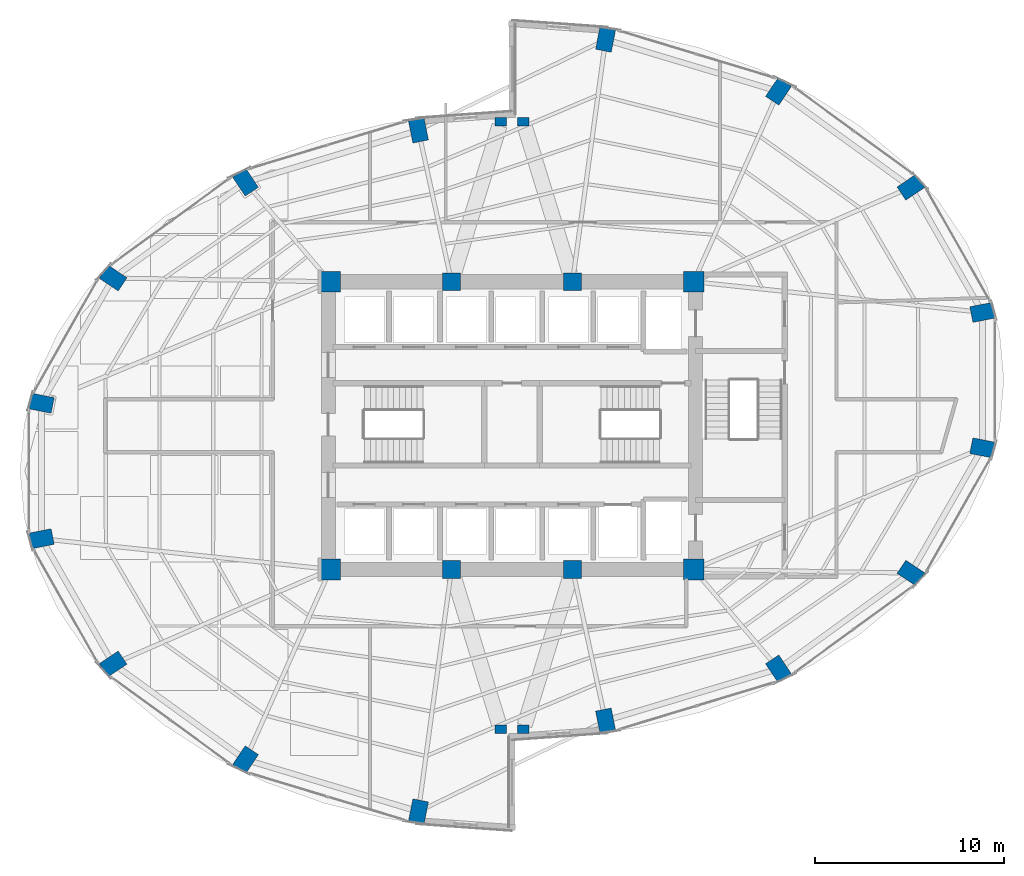
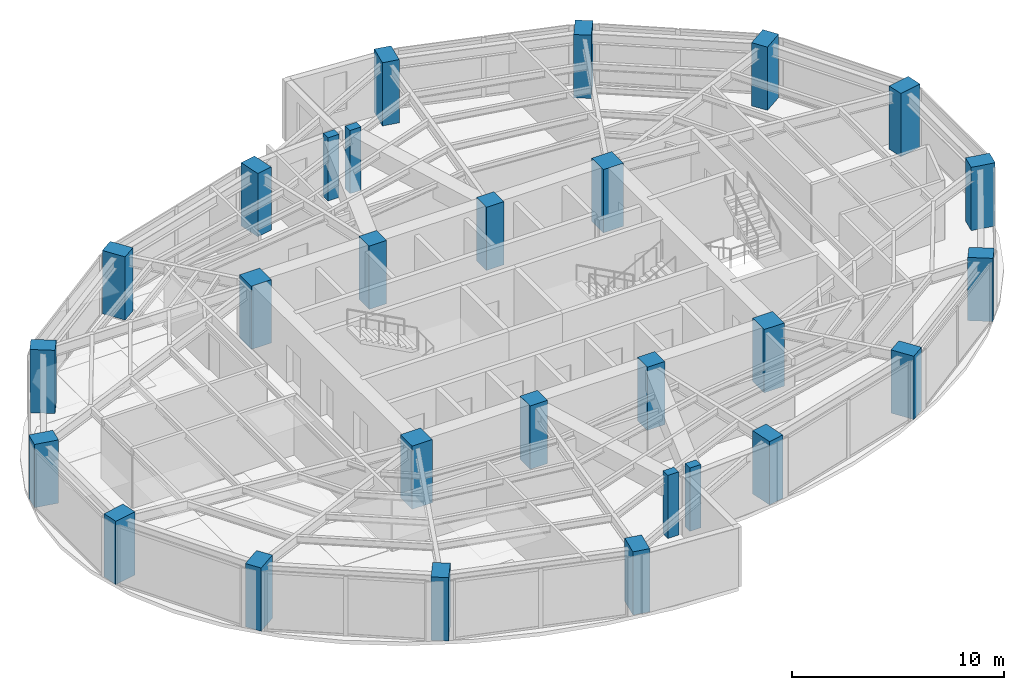
# One storey, part 1 of 23: 28 columns.
"""IFC4 building model written with IfcOpenShell, lengths in metres."""

from ifc_helpers import new_model, si_unit, direction, frame, origin, origin_2d, place, context, subcontext, project, spatial, rectangle, extrude, material, material_profile, profile_set, type_object, element, save


model = new_model("IFC4")

# Units and contexts
model_context = context("Model", 3, precision=1e-05, world=origin(), true_north=direction((0.0, 1.0)))
body_context = subcontext(model_context, "Body", "Model", "MODEL_VIEW")
ifc_project = project(units=[si_unit("LENGTHUNIT", "METRE"), si_unit("AREAUNIT", "SQUARE_METRE"), si_unit("VOLUMEUNIT", "CUBIC_METRE"), si_unit("PLANEANGLEUNIT", "RADIAN"), si_unit("MASSUNIT", "GRAM", prefix="KILO")], contexts=[model_context])

# Site, building, storey
site_placement = place(None, origin())
site = spatial("IfcSite", under=ifc_project, at=site_placement, CompositionType="ELEMENT")
building_placement = place(site_placement, origin())
building = spatial("IfcBuilding", under=site, at=building_placement, Name="Lazwardi Medical Tower", CompositionType="ELEMENT")
storey_placement = place(building_placement, frame((0.0, 0.0, 121.8720703125)))
storey = spatial("IfcBuildingStorey", under=building, at=storey_placement, Name="L31", CompositionType="ELEMENT", Elevation=121.8720703125)

# Columns
ifc_material_1 = material(Name="Concrete C80/95", Category="concrete")
ifc_material_profile_1 = material_profile(ifc_material_1, rectangle(XDim=1.10009765625, YDim=1.10009765625, at=origin_2d()), Name="RC 1100x1100")
ifc_profile_set_1 = profile_set([ifc_material_profile_1], Name="Concrete C80/95")
column_type_1 = type_object("IfcColumnType", Name="COL-CC-L", PredefinedType="COLUMN", material=ifc_profile_set_1)
for number, where, z_axis, x_axis, name in (
    (1, (26.39990234375, 20.39990234375, 0.0), (0.0, 0.0, 1.0), (1.0, 0.0, 0.0), "Core column CC-01 CC1 L31"),
    (2, (45.60009765625, 20.39990234375, 0.0), (0.0, 0.0, 1.0), (1.0, 0.0, 0.0), "Core column CC-01 CC4 L31"),
    (3, (45.60009765625, 35.60009765625, 0.0), (0.0, 0.0, 1.0), (1.0, 0.0, 0.0), "Core column CC-01 CC5 L31"),
    (4, (26.39990234375, 35.60009765625, 0.0), (0.0, 0.0, 1.0), (1.0, 0.0, 0.0), "Core column CC-01 CC8 L31"),
):
    element("IfcColumn", number, at=place(storey_placement, frame(where, z_axis=z_axis, x_axis=x_axis)), inside=storey, type_object=column_type_1, Name=name, PredefinedType="COLUMN", context=body_context, shape_type="SweptSolid", body=[
        extrude(rectangle(XDim=1.10009765625, YDim=1.10009765625, at=origin_2d()), origin(), (0.0, 0.0, 1.0), 3.64794921875),
    ])
ifc_material_2 = material(Name="Concrete C70/85", Category="concrete")
ifc_material_profile_2 = material_profile(ifc_material_2, rectangle(XDim=0.949951171875, YDim=0.949951171875, at=origin_2d()), Name="RC 950x950")
ifc_profile_set_2 = profile_set([ifc_material_profile_2], Name="Concrete C70/85")
column_type_2 = type_object("IfcColumnType", Name="COL-CC-M", PredefinedType="COLUMN", material=ifc_profile_set_2)
for number, where, z_axis, x_axis, name in (
    (5, (32.800048828125, 20.39990234375, 0.0), (0.0, 0.0, 1.0), (1.0, 0.0, 0.0), "Core column CC-02 CC2 L31"),
    (6, (39.199951171875, 20.39990234375, 0.0), (0.0, 0.0, 1.0), (1.0, 0.0, 0.0), "Core column CC-02 CC3 L31"),
    (7, (39.199951171875, 35.60009765625, 0.0), (0.0, 0.0, 1.0), (1.0, 0.0, 0.0), "Core column CC-02 CC6 L31"),
    (8, (32.800048828125, 35.60009765625, 0.0), (0.0, 0.0, 1.0), (1.0, 0.0, 0.0), "Core column CC-02 CC7 L31"),
):
    element("IfcColumn", number, at=place(storey_placement, frame(where, z_axis=z_axis, x_axis=x_axis)), inside=storey, type_object=column_type_2, Name=name, PredefinedType="COLUMN", context=body_context, shape_type="SweptSolid", body=[
        extrude(rectangle(XDim=0.949951171875, YDim=0.949951171875, at=origin_2d()), origin(), (0.0, 0.0, 1.0), 3.64794921875),
    ])
ifc_material_profile_3 = material_profile(ifc_material_2, rectangle(XDim=1.199951171875, YDim=0.840087890625, at=origin_2d()), Name="CFT-RECT 1200x840")
ifc_profile_set_3 = profile_set([ifc_material_profile_3], Name="Concrete C70/85")
column_type_3 = type_object("IfcColumnType", Name="COL-MC-Z2", PredefinedType="COLUMN", material=ifc_profile_set_3)
for number, where, z_axis, x_axis, name in (
    (9, (40.945556640625, 12.402587890625, 0.0), (0.0, 0.0, 1.0), (0.195090322016, -0.980785280403, 0.0), "Mega column MC-04 M01 L31"),
    (10, (50.083740234375, 15.142578125, 0.0), (0.0, 0.0, 1.0), (0.55557023302, -0.831469612303, 0.0), "Mega column MC-04 M02 L31"),
    (11, (57.077880859375, 20.205322265625, 0.0), (0.0, 0.0, 1.0), (0.831469612303, -0.55557023302, 0.0), "Mega column MC-04 M03 L31"),
    (12, (60.86279296875, 26.820068359375, 0.0), (0.0, 0.0, 1.0), (0.980785280403, -0.195090322016, 0.0), "Mega column MC-04 M04 L31"),
    (13, (60.86279296875, 33.97998046875, 0.0), (0.0, 0.0, 1.0), (0.980785280403, 0.195090322016, 0.0), "Mega column MC-04 M05 L31"),
    (14, (57.077880859375, 40.5947265625, 0.0), (0.0, 0.0, 1.0), (0.831469612303, 0.55557023302, 0.0), "Mega column MC-04 M06 L31"),
    (15, (50.083740234375, 45.657470703125, 0.0), (0.0, 0.0, 1.0), (0.55557023302, 0.831469612303, 0.0), "Mega column MC-04 M07 L31"),
    (16, (40.945556640625, 48.3974609375, 0.0), (0.0, 0.0, 1.0), (0.195090322016, 0.980785280403, 0.0), "Mega column MC-04 M08 L31"),
    (17, (31.054443359375, 43.597412109375, 0.0), (0.0, 0.0, 1.0), (-0.195090322016, 0.980785280403, 0.0), "Mega column MC-04 M09 L31"),
    (18, (21.916259765625, 40.857421875, 0.0), (0.0, 0.0, 1.0), (-0.55557023302, 0.831469612303, 0.0), "Mega column MC-04 M10 L31"),
    (19, (14.922119140625, 35.794677734375, 0.0), (0.0, 0.0, 1.0), (-0.831469612303, 0.55557023302, 0.0), "Mega column MC-04 M11 L31"),
    (20, (11.13720703125, 29.179931640625, 0.0), (0.0, 0.0, 1.0), (-0.980785280403, 0.195090322016, 0.0), "Mega column MC-04 M12 L31"),
    (21, (11.13720703125, 22.02001953125, 0.0), (0.0, 0.0, 1.0), (-0.980785280403, -0.195090322016, 0.0), "Mega column MC-04 M13 L31"),
    (22, (14.922119140625, 15.4052734375, 0.0), (0.0, 0.0, 1.0), (-0.831469612303, -0.55557023302, 0.0), "Mega column MC-04 M14 L31"),
    (23, (21.916259765625, 10.342529296875, 0.0), (0.0, 0.0, 1.0), (-0.55557023302, -0.831469612303, 0.0), "Mega column MC-04 M15 L31"),
    (24, (31.054443359375, 7.6025390625, 0.0), (0.0, 0.0, 1.0), (-0.195090322016, -0.980785280403, 0.0), "Mega column MC-04 M16 L31"),
):
    element("IfcColumn", number, at=place(storey_placement, frame(where, z_axis=z_axis, x_axis=x_axis)), inside=storey, type_object=column_type_3, Name=name, PredefinedType="COLUMN", context=body_context, shape_type="SweptSolid", body=[
        extrude(rectangle(XDim=1.199951171875, YDim=0.840087890625, at=origin_2d()), origin(), (0.0, 0.0, 1.0), 3.64794921875),
    ])
ifc_material_3 = material(Name="Concrete C60/75", Category="concrete")
ifc_material_profile_4 = material_profile(ifc_material_3, rectangle(XDim=0.60009765625, YDim=0.449951171875, at=origin_2d()), Name="RC 600x450")
ifc_profile_set_4 = profile_set([ifc_material_profile_4], Name="Concrete C60/75")
column_type_4 = type_object("IfcColumnType", Name="COL-PL-IW", PredefinedType="PILASTER", material=ifc_profile_set_4)
for number, where, z_axis, x_axis, name in (
    (25, (35.39990234375, 44.050048828125, 0.0), (0.0, 0.0, 1.0), (1.0, 0.0, 0.0), "Iwan pilaster column PL-C1 PL1 L31"),
    (26, (36.60009765625, 44.050048828125, 0.0), (0.0, 0.0, 1.0), (1.0, 0.0, 0.0), "Iwan pilaster column PL-C1 PL2 L31"),
    (27, (35.39990234375, 11.949951171875, 0.0), (0.0, 0.0, 1.0), (1.0, 0.0, 0.0), "Iwan pilaster column PL-C1 PL3 L31"),
    (28, (36.60009765625, 11.949951171875, 0.0), (0.0, 0.0, 1.0), (1.0, 0.0, 0.0), "Iwan pilaster column PL-C1 PL4 L31"),
):
    element("IfcColumn", number, at=place(storey_placement, frame(where, z_axis=z_axis, x_axis=x_axis)), inside=storey, type_object=column_type_4, Name=name, PredefinedType="PILASTER", context=body_context, shape_type="SweptSolid", body=[
        extrude(rectangle(XDim=0.60009765625, YDim=0.449951171875, at=origin_2d()), origin(), (0.0, 0.0, 1.0), 3.64794921875),
    ])

save(model, "model.ifc")
